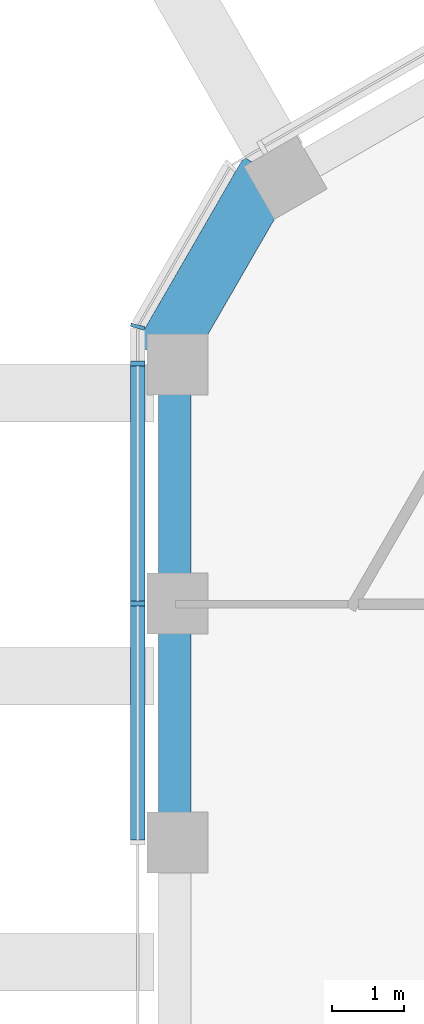
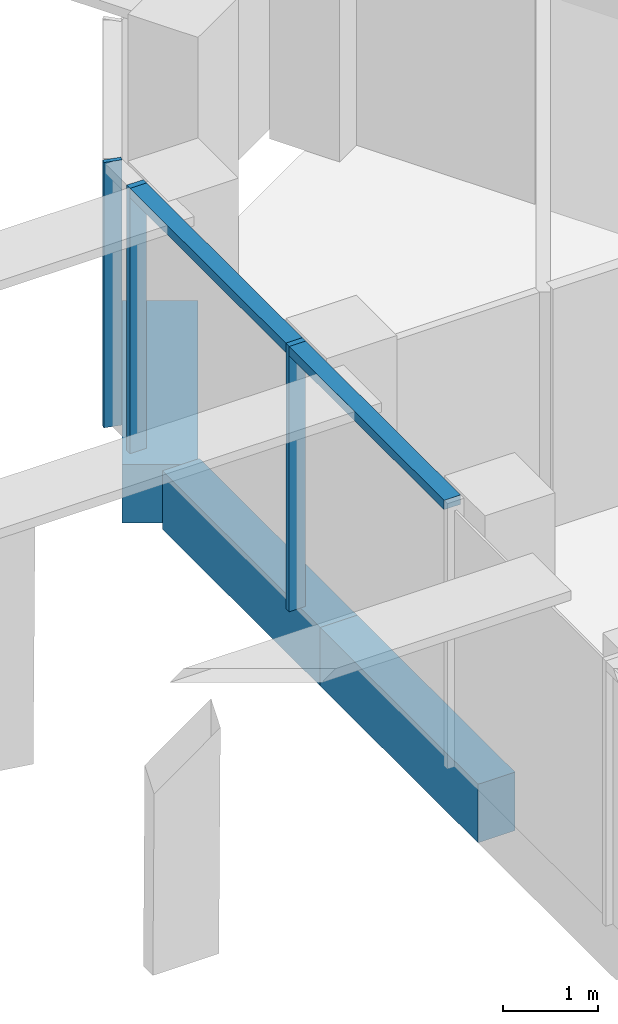
# One storey, part 3 of 17: 4 members, 3 beams, 2 elements without a shape of their own.
"""IFC4 building model written with IfcOpenShell, lengths in metres."""

import ifcopenshell
import ifcopenshell.guid

model = None  # the IFC model being written
_history = None  # IfcOwnerHistory: only IFC2X3 demands one
_inside = {}  # id of a spatial element -> (the spatial element, [elements in it])
_under = {}  # id of a project, library or spatial element -> (it, [spatial elements below it])
_declared = {}  # id of a project -> (the project, [libraries it declares])
_typed = {}  # id of a type object -> (the type object, [elements of that type])
_made_of = {}  # id of a material, layer set ... -> (it, [elements and type objects made of it])


def new_model(schema):
    """Start an empty IFC model of exactly this schema.

    Asked for "IFC4X3", IfcOpenShell would pick the latest addendum, in which some entities
    have other attributes; the version numbers below select the first issue.
    IFC2X3 requires an IfcOwnerHistory on every rooted entity: one is made here for all.
    """
    global model, _history
    if schema == "IFC4X3":
        model = ifcopenshell.file(schema_version=(4, 3, 0, 0))
    else:
        model = ifcopenshell.file(schema=schema)
    _inside.clear()
    _under.clear()
    _declared.clear()
    _typed.clear()
    _made_of.clear()
    _history = None
    if model.schema == "IFC2X3":
        org = make("IfcOrganization", Name="unknown")
        user = make(
            "IfcPersonAndOrganization",
            ThePerson=make("IfcPerson", FamilyName="unknown"),
            TheOrganization=org,
        )
        app = make(
            "IfcApplication",
            ApplicationDeveloper=org,
            Version="unknown",
            ApplicationFullName="unknown",
            ApplicationIdentifier="unknown",
        )
        _history = make(
            "IfcOwnerHistory",
            OwningUser=user,
            OwningApplication=app,
            ChangeAction="ADDED",
            CreationDate=0,
        )
    return model


def make(cls, **values):
    """One entity of the class cls with the attributes given. An attribute that is None is left unset."""
    return model.create_entity(
        cls, **{name: value for name, value in values.items() if value is not None}
    )


def rooted(cls, **values):
    """An entity with a GlobalId (a new one), such as an element, a storey or a relation."""
    return make(cls, GlobalId=ifcopenshell.guid.new(), OwnerHistory=_history, **values)


def si_unit(unit_type, name, prefix=None):
    """IfcSIUnit, for example si_unit("LENGTHUNIT", "METRE", prefix="MILLI")."""
    return make("IfcSIUnit", UnitType=unit_type, Prefix=prefix, Name=name)


def assignment(units):
    """IfcUnitAssignment: the units of a project."""
    return None if units is None else make("IfcUnitAssignment", Units=units)


def point(xyz):
    """IfcCartesianPoint."""
    return None if xyz is None else make("IfcCartesianPoint", Coordinates=xyz)


def direction(xyz):
    """IfcDirection."""
    return None if xyz is None else make("IfcDirection", DirectionRatios=xyz)


def frame(location, z_axis=None, x_axis=None):
    """IfcAxis2Placement3D, a coordinate frame: its origin and axes. An axis left out is left unset."""
    return make(
        "IfcAxis2Placement3D",
        Location=point(location),
        Axis=direction(z_axis),
        RefDirection=direction(x_axis),
    )


def frame_2d(location, x_axis=None):
    """IfcAxis2Placement2D, a coordinate frame in the plane: its origin and x axis."""
    return make(
        "IfcAxis2Placement2D", Location=point(location), RefDirection=direction(x_axis)
    )


def origin():
    """The frame at (0, 0, 0) with its axes left unset."""
    return frame((0.0, 0.0, 0.0))


def origin_2d():
    """The frame at (0, 0) in the plane with its x axis left unset."""
    return frame_2d((0.0, 0.0))


def place(relative_to, where):
    """IfcLocalPlacement: puts the frame where relative to a parent placement (None: the world)."""
    return make(
        "IfcLocalPlacement", PlacementRelTo=relative_to, RelativePlacement=where
    )


def context(
    kind, dimensions, precision=None, world=None, true_north=None, identifier=None
):
    """IfcGeometricRepresentationContext, for example the 3D "Model" context."""
    return make(
        "IfcGeometricRepresentationContext",
        ContextIdentifier=identifier,
        ContextType=kind,
        CoordinateSpaceDimension=dimensions,
        Precision=precision,
        WorldCoordinateSystem=world,
        TrueNorth=true_north,
    )


def subcontext(parent, identifier, kind, view, scale=None):
    """IfcGeometricRepresentationSubContext, for example "Body" below "Model"."""
    return make(
        "IfcGeometricRepresentationSubContext",
        ContextIdentifier=identifier,
        ContextType=kind,
        ParentContext=parent,
        TargetScale=scale,
        TargetView=view,
    )


def project(units=None, contexts=None):
    """IfcProject with its units and contexts."""
    return rooted(
        "IfcProject",
        Name="project",
        RepresentationContexts=contexts,
        UnitsInContext=assignment(units),
    )


def spatial(cls, under=None, at=None, **own):
    """A site, building, storey or space (cls), placed at a placement, below another one or the project."""
    s = rooted(cls, ObjectPlacement=at, **own)
    if under is not None:
        _under.setdefault(under.id(), (under, []))[1].append(s)
    return s


def profile(cls, at=None, kind="AREA", **sizes):
    """A parametric profile (cls). Its sizes go by their IFC names, for example OverallWidth=200.0."""
    return make(cls, ProfileType=kind, Position=at, **sizes)


def rectangle(**sizes):
    """IfcRectangleProfileDef."""
    return profile("IfcRectangleProfileDef", **sizes)


def extrude(swept, where, along, depth):
    """IfcExtrudedAreaSolid: the profile swept, set in the frame where, extruded along a direction by depth."""
    return make(
        "IfcExtrudedAreaSolid",
        SweptArea=swept,
        Position=where,
        ExtrudedDirection=direction(along),
        Depth=depth,
    )


def shape(context_of_items, identifier, shape_type, items):
    """IfcShapeRepresentation: the items that make up one representation, for example the "Body"."""
    return make(
        "IfcShapeRepresentation",
        ContextOfItems=context_of_items,
        RepresentationIdentifier=identifier,
        RepresentationType=shape_type,
        Items=items,
    )


def material(Name=None, Category=None):
    """IfcMaterial."""
    return make("IfcMaterial", Name=Name, Category=Category)


def layer(
    of_material, thickness, ventilated=None, Name=None, Category=None, Priority=None
):
    """IfcMaterialLayer: one layer of a wall or slab, of a material (None: an air gap)."""
    return make(
        "IfcMaterialLayer",
        Material=of_material,
        LayerThickness=thickness,
        IsVentilated=ventilated,
        Name=Name,
        Category=Category,
        Priority=Priority,
    )


def layer_set(layers, Name=None):
    """IfcMaterialLayerSet."""
    return make("IfcMaterialLayerSet", MaterialLayers=layers, LayerSetName=Name)


def material_profile(
    of_material, cross_section, Name=None, Category=None, Priority=None
):
    """IfcMaterialProfile: a cross section and its material."""
    return make(
        "IfcMaterialProfile",
        Name=Name,
        Material=of_material,
        Profile=cross_section,
        Priority=Priority,
        Category=Category,
    )


def profile_set(profiles, Name=None, composite=None):
    """IfcMaterialProfileSet."""
    return make(
        "IfcMaterialProfileSet",
        Name=Name,
        MaterialProfiles=profiles,
        CompositeProfile=composite,
    )


def made_of(thing, what):
    """Note that an element or type object is made of a material, layer set ...; save() writes the relation."""
    if what is not None:
        _made_of.setdefault(what.id(), (what, []))[1].append(thing)
    return thing


def type_object(cls, material=None, **own):
    """A type object (cls), such as IfcWallType, which elements share."""
    return made_of(rooted(cls, **own), material)


def element(
    cls,
    number,
    at=None,
    inside=None,
    cuts=None,
    type_object=None,
    material=None,
    context=None,
    identifier="Body",
    shape_type=None,
    held_by="IfcProductDefinitionShape",
    body=None,
    shapes=None,
    **own,
):
    """One element of the class cls, such as IfcWall. Its Tag is "e" and its number.

    at: its placement. inside: the storey or other place that contains it. cuts: it is an
    opening in that element (IfcRelVoidsElement). A single representation is given by context,
    identifier, shape_type and body (its items); several are given by shapes. held_by: the class
    of the entity that holds the representations. save() writes the other relations.
    """
    e = rooted(cls, Tag="e%d" % number, ObjectPlacement=at, **own)
    if body is not None:
        shapes = [shape(context, identifier, shape_type, body)]
    if shapes is not None:
        e.Representation = make(held_by, Representations=shapes)
    if inside is not None:
        _inside.setdefault(inside.id(), (inside, []))[1].append(e)
    if cuts is not None:
        rooted(
            "IfcRelVoidsElement", RelatingBuildingElement=cuts, RelatedOpeningElement=e
        )
    if type_object is not None:
        _typed.setdefault(type_object.id(), (type_object, []))[1].append(e)
    return made_of(e, material)


def aggregate(whole, parts):
    """IfcRelAggregates: a whole, such as a stair, and the parts it consists of."""
    return rooted("IfcRelAggregates", RelatingObject=whole, RelatedObjects=parts)


def save(model, path):
    """Write the relations noted so far, then the file.

    IfcRelAggregates (storeys below a building ...), IfcRelContainedInSpatialStructure (elements
    in a storey), IfcRelDefinesByType, IfcRelAssociatesMaterial and IfcRelDeclares: one each for
    every whole, place, type object, material and project.
    """
    for whole, parts in _under.values():
        aggregate(whole, parts)
    for where, things in _inside.values():
        rooted(
            "IfcRelContainedInSpatialStructure",
            RelatedElements=things,
            RelatingStructure=where,
        )
    for kind, things in _typed.values():
        rooted("IfcRelDefinesByType", RelatedObjects=things, RelatingType=kind)
    for what, things in _made_of.values():
        rooted("IfcRelAssociatesMaterial", RelatedObjects=things, RelatingMaterial=what)
    for by, libraries in _declared.values():
        rooted("IfcRelDeclares", RelatingContext=by, RelatedDefinitions=libraries)
    model.write(path)


model = new_model("IFC4")

# Units and contexts
model_context = context("Model", 3, precision=1e-05, world=origin(), true_north=direction((0.0, 1.0)))
body_context = subcontext(model_context, "Body", "Model", "MODEL_VIEW")
ifc_project = project(units=[si_unit("LENGTHUNIT", "METRE"), si_unit("AREAUNIT", "SQUARE_METRE"), si_unit("VOLUMEUNIT", "CUBIC_METRE"), si_unit("PLANEANGLEUNIT", "RADIAN"), si_unit("MASSUNIT", "GRAM", prefix="KILO")], contexts=[model_context])

# Site, building, storey
site_placement = place(None, origin())
site = spatial("IfcSite", under=ifc_project, at=site_placement, CompositionType="ELEMENT")
building_placement = place(site_placement, origin())
building = spatial("IfcBuilding", under=site, at=building_placement, Name="Ayvan Gate Tower", CompositionType="ELEMENT")
storey_placement = place(building_placement, frame((0.0, 0.0, 246.10009765625)))
storey = spatial("IfcBuildingStorey", under=building, at=storey_placement, Name="L66", CompositionType="ELEMENT", Elevation=246.10009765625)

# Beams
ifc_material_1 = material(Name="Concrete C40/50", Category="concrete")
ifc_material_profile_1 = material_profile(ifc_material_1, rectangle(XDim=0.800048828125, YDim=0.75, at=origin_2d()), Name="RC 800x750")
ifc_profile_set_1 = profile_set([ifc_material_profile_1], Name="Concrete C40/50")
beam_type_1 = type_object("IfcBeamType", Name="Corner spandrel beam RC 800x750 C40/50", PredefinedType="BEAM", material=ifc_profile_set_1)
beam_1_placement = place(storey_placement, frame((-15.115966796875, 10.992919921875, -0.72509765625), z_axis=(-0.499990139034, -0.866031096941, 0.0), x_axis=(0.866031096941, -0.499990139034, 0.0)))
element("IfcBeam", 1, at=beam_1_placement, inside=storey, type_object=beam_type_1, Name="SB-L66-18", PredefinedType="BEAM", context=body_context, shape_type="SweptSolid", body=[
    extrude(rectangle(XDim=0.800048828125, YDim=0.75, at=origin_2d()), origin(), (0.0, 0.0, 1.0), 3.0),
])
ifc_material_profile_2 = material_profile(ifc_material_1, rectangle(XDim=0.449951171875, YDim=0.75, at=origin_2d()), Name="RC 450x750")
ifc_profile_set_2 = profile_set([ifc_material_profile_2], Name="Concrete C40/50")
beam_type_2 = type_object("IfcBeamType", Name="Spandrel beam RC 450x750 C40/50", PredefinedType="BEAM", material=ifc_profile_set_2)
beam_2_placement = place(storey_placement, frame((-16.42529296875, 8.28466796875, -0.72509765625), z_axis=(0.0, -1.0, 0.0), x_axis=(1.0, 0.0, 0.0)))
element("IfcBeam", 2, at=beam_2_placement, inside=storey, type_object=beam_type_2, Name="SB-L66-19", PredefinedType="BEAM", context=body_context, shape_type="SweptSolid", body=[
    extrude(rectangle(XDim=0.449951171875, YDim=0.75, at=origin_2d()), origin(), (0.0, 0.0, 1.0), 3.313720703125),
])
beam_3_placement = place(storey_placement, frame((-16.42529296875, 4.970947265625, -0.72509765625), z_axis=(0.0, -1.0, 0.0), x_axis=(1.0, 0.0, 0.0)))
element("IfcBeam", 3, at=beam_3_placement, inside=storey, type_object=beam_type_2, Name="SB-L66-20", PredefinedType="BEAM", context=body_context, shape_type="SweptSolid", body=[
    extrude(rectangle(XDim=0.449951171875, YDim=0.75, at=origin_2d()), origin(), (0.0, 0.0, 1.0), 3.31396484375),
])

# Curtain wall, members
ifc_material_2 = material(Name="Bronze anodised aluminium", Category="aluminium")
ifc_layer_1 = layer(ifc_material_2, 0.199951171875)
ifc_layer_set_1 = layer_set([ifc_layer_1], Name="Bronze anodised aluminium")
curtain_wall_type_1 = type_object("IfcCurtainWallType", Name="Stick curtain wall CW-2", PredefinedType="NOTDEFINED", material=ifc_layer_set_1)
curtain_wall_1_placement = place(storey_placement, origin())
curtain_wall_1 = element("IfcCurtainWall", 4, at=curtain_wall_1_placement, inside=storey, type_object=curtain_wall_type_1, Name="Stick curtain wall CW-2 L66", PredefinedType="NOTDEFINED")
ifc_material_profile_3 = material_profile(ifc_material_2, rectangle(XDim=0.199951171875, YDim=0.070068359375, at=origin_2d()), Name="Stick curtain wall CW-2 mullion 200 x 70")
ifc_profile_set_3 = profile_set([ifc_material_profile_3], Name="Bronze anodised aluminium")
member_type_1 = type_object("IfcMemberType", Name="Stick curtain wall CW-2 mullion 200 x 70", PredefinedType="MULLION", material=ifc_profile_set_3)
member_1_placement = place(storey_placement, frame((-16.937744140625, 8.326171875, 0.0), z_axis=(0.0, 0.0, 1.0), x_axis=(-1.0, 0.0, 0.0)))
member_1 = element("IfcMember", 5, at=member_1_placement, type_object=member_type_1, Name="CW-2 mullion 1", PredefinedType="MULLION", context=body_context, shape_type="SweptSolid", body=[
    extrude(rectangle(XDim=0.199951171875, YDim=0.070068359375, at=origin_2d()), origin(), (0.0, 0.0, 1.0), 3.39990234375),
])
member_2_placement = place(storey_placement, frame((-16.937744140625, 4.985107421875, 0.0), z_axis=(0.0, 0.0, 1.0), x_axis=(-1.0, 0.0, 0.0)))
member_2 = element("IfcMember", 6, at=member_2_placement, type_object=member_type_1, Name="CW-2 mullion 2", PredefinedType="MULLION", context=body_context, shape_type="SweptSolid", body=[
    extrude(rectangle(XDim=0.199951171875, YDim=0.070068359375, at=origin_2d()), origin(), (0.0, 0.0, 1.0), 3.39990234375),
])
ifc_material_profile_4 = material_profile(ifc_material_2, rectangle(XDim=0.199951171875, YDim=0.1201171875, at=origin_2d()), Name="Stick curtain wall CW-2 transom 200 x 120")
ifc_profile_set_4 = profile_set([ifc_material_profile_4], Name="Bronze anodised aluminium")
member_type_2 = type_object("IfcMemberType", Name="Stick curtain wall CW-2 transom 200 x 120", PredefinedType="USERDEFINED", material=ifc_profile_set_4)
member_3_placement = place(storey_placement, frame((-16.937744140625, 8.326171875, 3.33984375), z_axis=(0.0, -1.0, 0.0), x_axis=(1.0, 0.0, 0.0)))
member_3 = element("IfcMember", 7, at=member_3_placement, type_object=member_type_2, Name="CW-2 transom 1", ObjectType="TRANSOM", PredefinedType="USERDEFINED", context=body_context, shape_type="SweptSolid", body=[
    extrude(rectangle(XDim=0.199951171875, YDim=0.1201171875, at=origin_2d()), origin(), (0.0, 0.0, 1.0), 6.62890625),
])
aggregate(curtain_wall_1, [member_1, member_2, member_3])

# Curtain wall, member
ifc_layer_2 = layer(ifc_material_2, 0.199951171875)
ifc_layer_set_2 = layer_set([ifc_layer_2], Name="Bronze anodised aluminium")
curtain_wall_type_2 = type_object("IfcCurtainWallType", Name="Stick curtain wall CW-6", PredefinedType="NOTDEFINED", material=ifc_layer_set_2)
curtain_wall_2_placement = place(storey_placement, origin())
curtain_wall_2 = element("IfcCurtainWall", 8, at=curtain_wall_2_placement, inside=storey, type_object=curtain_wall_type_2, Name="Stick curtain wall CW-6 L66", PredefinedType="NOTDEFINED")
ifc_material_profile_5 = material_profile(ifc_material_2, rectangle(XDim=0.199951171875, YDim=0.050048828125, at=origin_2d()), Name="Stick curtain wall CW-6 mullion 200 x 50")
ifc_profile_set_5 = profile_set([ifc_material_profile_5], Name="Bronze anodised aluminium")
member_type_3 = type_object("IfcMemberType", Name="Stick curtain wall CW-6 mullion 200 x 50", PredefinedType="MULLION", material=ifc_profile_set_5)
member_4_placement = place(storey_placement, frame((-16.937744140625, 8.836181640625, 0.0), z_axis=(0.0, 0.0, 1.0), x_axis=(-0.965925826289, 0.258819045103, 0.0)))
member_4 = element("IfcMember", 9, at=member_4_placement, type_object=member_type_3, Name="CW-6 mullion 3", PredefinedType="MULLION", context=body_context, shape_type="SweptSolid", body=[
    extrude(rectangle(XDim=0.199951171875, YDim=0.050048828125, at=origin_2d()), origin(), (0.0, 0.0, 1.0), 3.39990234375),
])
aggregate(curtain_wall_2, [member_4])

save(model, "model.ifc")
